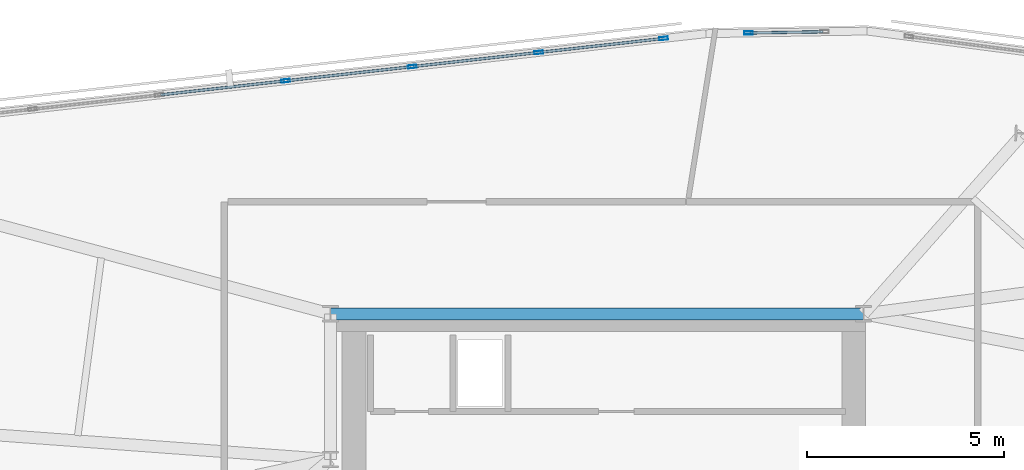
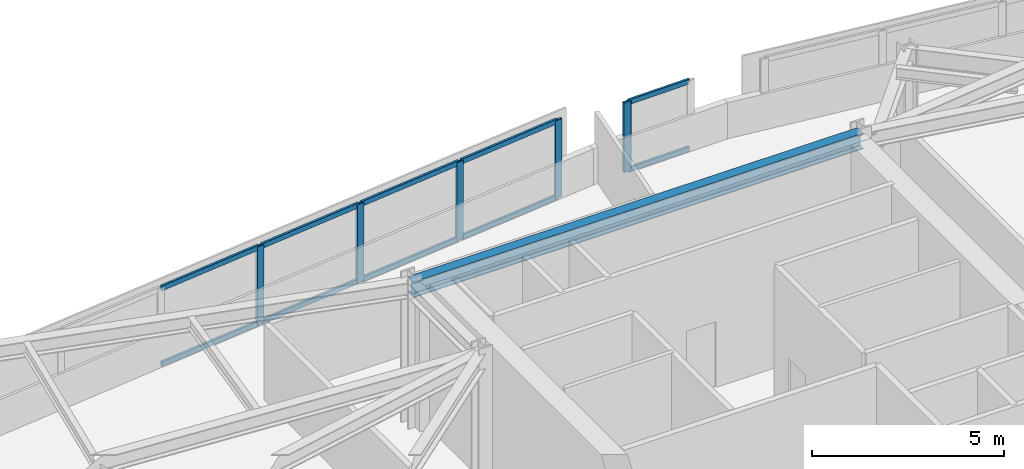
# One storey, part 4 of 12: 15 members, 1 beam, 2 elements without a shape of their own.
"""IFC4 building model written with IfcOpenShell, lengths in metres."""

from ifc_helpers import new_model, si_unit, direction, frame, origin, origin_2d, place, context, subcontext, project, spatial, hollow_rectangle, i_section, extrude, material, material_profile, profile_set, type_object, element, aggregate, save


model = new_model("IFC4")

# Units and contexts
model_context = context("Model", 3, precision=1e-05, world=origin(), true_north=direction((0.0, 1.0)))
body_context = subcontext(model_context, "Body", "Model", "MODEL_VIEW")
ifc_project = project(units=[si_unit("LENGTHUNIT", "METRE"), si_unit("AREAUNIT", "SQUARE_METRE"), si_unit("VOLUMEUNIT", "CUBIC_METRE"), si_unit("PLANEANGLEUNIT", "RADIAN"), si_unit("MASSUNIT", "GRAM", prefix="KILO")], contexts=[model_context])

# Site, building, storey
site_placement = place(None, origin())
site = spatial("IfcSite", under=ifc_project, at=site_placement, CompositionType="ELEMENT")
building_placement = place(site_placement, origin())
building = spatial("IfcBuilding", under=site, at=building_placement, Name="Narakoshi Arena Tower", CompositionType="ELEMENT")
storey_placement = place(building_placement, frame((0.0, 0.0, 307.780029296875)))
storey = spatial("IfcBuildingStorey", under=building, at=storey_placement, Name="L83", CompositionType="ELEMENT", Elevation=307.780029296875)

# Beam
ifc_material_1 = material(Name="Structural steel S355J2", Category="steel")
ifc_material_profile_1 = material_profile(ifc_material_1, i_section(OverallWidth=0.300048828125, OverallDepth=0.5, WebThickness=0.014404296875, FlangeThickness=0.028076171875, FilletRadius=0.027099609375, at=origin_2d()), Name="HE500B")
ifc_profile_set_1 = profile_set([ifc_material_profile_1], Name="Structural steel S355J2")
beam_type = type_object("IfcBeamType", Name="BM-PRI-500", PredefinedType="BEAM", material=ifc_profile_set_1)
beam_placement = place(storey_placement, frame((72.0, 56.5, 4.349853515625), z_axis=(1.0, 0.0, 0.0), x_axis=(0.0, 1.0, 0.0)))
element("IfcBeam", 1, at=beam_placement, inside=storey, type_object=beam_type, Name="L83 Core Perimeter Frame Beam CC5-CC6", PredefinedType="BEAM", context=body_context, shape_type="SweptSolid", body=[
    extrude(i_section(OverallWidth=0.300048828125, OverallDepth=0.5, WebThickness=0.014404296875, FlangeThickness=0.028076171875, FilletRadius=0.027099609375, at=origin_2d()), origin(), (0.0, 0.0, 1.0), 13.550048828125),
])

# Curtain wall, members
ifc_material_2 = material(Name="Anodised bronze aluminium 6063-T6", Category="aluminium")
curtain_wall_type = type_object("IfcCurtainWallType", Name="CW-CRN-FACET", PredefinedType="NOTDEFINED", material=ifc_material_2)
curtain_wall_1_placement = place(storey_placement, origin())
curtain_wall_1 = element("IfcCurtainWall", 2, at=curtain_wall_1_placement, inside=storey, type_object=curtain_wall_type, Name="L83 Slanted-Cut Crown Curtain Wall 6-2", PredefinedType="NOTDEFINED")
ifc_material_profile_2 = material_profile(ifc_material_2, hollow_rectangle(XDim=0.080078125, YDim=0.219970703125, WallThickness=0.0048828125, OuterFilletRadius=0.006103515625, at=origin_2d()), Name="MUL220x80x5")
ifc_profile_set_2 = profile_set([ifc_material_profile_2], Name="Anodised bronze aluminium 6063-T6")
member_type_1 = type_object("IfcMemberType", Name="MEM-MUL-220", PredefinedType="MULLION", material=ifc_profile_set_2)
member_1_placement = place(storey_placement, frame((70.86376953125, 62.42529296875, 0.0), z_axis=(0.0, 0.0, 1.0), x_axis=(-0.11139525537, 0.993776180576, 0.0)))
member_1 = element("IfcMember", 3, at=member_1_placement, type_object=member_type_1, Name="CW-06 mullion 5", PredefinedType="MULLION", context=body_context, shape_type="SweptSolid", body=[
    extrude(hollow_rectangle(XDim=0.080078125, YDim=0.219970703125, WallThickness=0.0048828125, OuterFilletRadius=0.006103515625, at=origin_2d()), origin(), (0.0, 0.0, 1.0), 2.4873046875),
])
member_2_placement = place(storey_placement, frame((74.07958984375, 62.785888671875, 0.0), z_axis=(0.0, 0.0, 1.0), x_axis=(-0.11139525537, 0.993776180576, 0.0)))
member_2 = element("IfcMember", 4, at=member_2_placement, type_object=member_type_1, Name="CW-06 mullion 6", PredefinedType="MULLION", context=body_context, shape_type="SweptSolid", body=[
    extrude(hollow_rectangle(XDim=0.080078125, YDim=0.219970703125, WallThickness=0.0048828125, OuterFilletRadius=0.006103515625, at=origin_2d()), origin(), (0.0, 0.0, 1.0), 2.4873046875),
])
member_3_placement = place(storey_placement, frame((77.295166015625, 63.146240234375, 0.0), z_axis=(0.0, 0.0, 1.0), x_axis=(-0.11139525537, 0.993776180576, 0.0)))
member_3 = element("IfcMember", 5, at=member_3_placement, type_object=member_type_1, Name="CW-06 mullion 7", PredefinedType="MULLION", context=body_context, shape_type="SweptSolid", body=[
    extrude(hollow_rectangle(XDim=0.080078125, YDim=0.219970703125, WallThickness=0.0048828125, OuterFilletRadius=0.006103515625, at=origin_2d()), origin(), (0.0, 0.0, 1.0), 2.4873046875),
])
member_4_placement = place(storey_placement, frame((80.47119140625, 63.502197265625, 0.0), z_axis=(0.0, 0.0, 1.0), x_axis=(-0.11139525537, 0.993776180576, 0.0)))
member_4 = element("IfcMember", 6, at=member_4_placement, type_object=member_type_1, Name="CW-06 mullion 8", PredefinedType="MULLION", context=body_context, shape_type="SweptSolid", body=[
    extrude(hollow_rectangle(XDim=0.080078125, YDim=0.219970703125, WallThickness=0.0048828125, OuterFilletRadius=0.006103515625, at=origin_2d()), origin(), (0.0, 0.0, 1.0), 2.4873046875),
])

# Curtain wall, member
curtain_wall_2_placement = place(storey_placement, origin())
curtain_wall_2 = element("IfcCurtainWall", 7, at=curtain_wall_2_placement, inside=storey, type_object=curtain_wall_type, Name="L83 Slanted-Cut Crown Curtain Wall 7-1", PredefinedType="NOTDEFINED")
member_5_placement = place(storey_placement, frame((82.631103515625, 63.640869140625, 0.0), z_axis=(0.0, 0.0, 1.0), x_axis=(-0.016431226006, 0.999864998293, 0.0)))
member_5 = element("IfcMember", 8, at=member_5_placement, type_object=member_type_1, Name="CW-06 mullion 1", PredefinedType="MULLION", context=body_context, shape_type="SweptSolid", body=[
    extrude(hollow_rectangle(XDim=0.080078125, YDim=0.219970703125, WallThickness=0.0048828125, OuterFilletRadius=0.006103515625, at=origin_2d()), origin(), (0.0, 0.0, 1.0), 2.2216796875),
])

# Member
ifc_material_profile_3 = material_profile(ifc_material_2, hollow_rectangle(XDim=0.070068359375, YDim=0.159912109375, WallThickness=0.00390625, OuterFilletRadius=0.0048828125, at=origin_2d()), Name="TRN160x70x4")
ifc_profile_set_3 = profile_set([ifc_material_profile_3], Name="Anodised bronze aluminium 6063-T6")
member_type_2 = type_object("IfcMemberType", Name="MEM-TRN-160", PredefinedType="USERDEFINED", material=ifc_profile_set_3)
member_6_placement = place(storey_placement, frame((67.687744140625, 62.0693359375, 0.034912109375), z_axis=(0.993775713066, 0.111399426033, 0.0), x_axis=(-0.111399426033, 0.993775713066, 0.0)))
member_6 = element("IfcMember", 9, at=member_6_placement, type_object=member_type_2, Name="CW-06 transom 4.1", ObjectType="TRANSOM", PredefinedType="USERDEFINED", context=body_context, shape_type="SweptSolid", body=[
    extrude(hollow_rectangle(XDim=0.070068359375, YDim=0.159912109375, WallThickness=0.00390625, OuterFilletRadius=0.0048828125, at=origin_2d()), origin(), (0.0, 0.0, 1.0), 3.15576171875),
])

member_7_placement = place(storey_placement, frame((67.687744140625, 62.0693359375, 2.452392578125), z_axis=(0.993775713066, 0.111399426033, 0.0), x_axis=(-0.111399426033, 0.993775713066, 0.0)))
member_7 = element("IfcMember", 10, at=member_7_placement, type_object=member_type_2, Name="CW-06 transom 4.2", ObjectType="TRANSOM", PredefinedType="USERDEFINED", context=body_context, shape_type="SweptSolid", body=[
    extrude(hollow_rectangle(XDim=0.070068359375, YDim=0.159912109375, WallThickness=0.00390625, OuterFilletRadius=0.0048828125, at=origin_2d()), origin(), (0.0, 0.0, 1.0), 3.15576171875),
])

member_8_placement = place(storey_placement, frame((70.903564453125, 62.4296875, 0.034912109375), z_axis=(0.993775713066, 0.111399426033, 0.0), x_axis=(-0.111399426033, 0.993775713066, 0.0)))
member_8 = element("IfcMember", 11, at=member_8_placement, type_object=member_type_2, Name="CW-06 transom 5.1", ObjectType="TRANSOM", PredefinedType="USERDEFINED", context=body_context, shape_type="SweptSolid", body=[
    extrude(hollow_rectangle(XDim=0.070068359375, YDim=0.159912109375, WallThickness=0.00390625, OuterFilletRadius=0.0048828125, at=origin_2d()), origin(), (0.0, 0.0, 1.0), 3.15576171875),
])

member_9_placement = place(storey_placement, frame((70.903564453125, 62.4296875, 2.452392578125), z_axis=(0.993775713066, 0.111399426033, 0.0), x_axis=(-0.111399426033, 0.993775713066, 0.0)))
member_9 = element("IfcMember", 12, at=member_9_placement, type_object=member_type_2, Name="CW-06 transom 5.2", ObjectType="TRANSOM", PredefinedType="USERDEFINED", context=body_context, shape_type="SweptSolid", body=[
    extrude(hollow_rectangle(XDim=0.070068359375, YDim=0.159912109375, WallThickness=0.00390625, OuterFilletRadius=0.0048828125, at=origin_2d()), origin(), (0.0, 0.0, 1.0), 3.15576171875),
])

member_10_placement = place(storey_placement, frame((74.119140625, 62.790283203125, 0.034912109375), z_axis=(0.993775713066, 0.111399426033, 0.0), x_axis=(-0.111399426033, 0.993775713066, 0.0)))
member_10 = element("IfcMember", 13, at=member_10_placement, type_object=member_type_2, Name="CW-06 transom 6.1", ObjectType="TRANSOM", PredefinedType="USERDEFINED", context=body_context, shape_type="SweptSolid", body=[
    extrude(hollow_rectangle(XDim=0.070068359375, YDim=0.159912109375, WallThickness=0.00390625, OuterFilletRadius=0.0048828125, at=origin_2d()), origin(), (0.0, 0.0, 1.0), 3.15576171875),
])

member_11_placement = place(storey_placement, frame((74.119140625, 62.790283203125, 2.452392578125), z_axis=(0.993775713066, 0.111399426033, 0.0), x_axis=(-0.111399426033, 0.993775713066, 0.0)))
member_11 = element("IfcMember", 14, at=member_11_placement, type_object=member_type_2, Name="CW-06 transom 6.2", ObjectType="TRANSOM", PredefinedType="USERDEFINED", context=body_context, shape_type="SweptSolid", body=[
    extrude(hollow_rectangle(XDim=0.070068359375, YDim=0.159912109375, WallThickness=0.00390625, OuterFilletRadius=0.0048828125, at=origin_2d()), origin(), (0.0, 0.0, 1.0), 3.15576171875),
])

member_12_placement = place(storey_placement, frame((77.3349609375, 63.150634765625, 0.034912109375), z_axis=(0.993773354848, 0.111420461294, 0.0), x_axis=(-0.111420461294, 0.993773354848, 0.0)))
member_12 = element("IfcMember", 15, at=member_12_placement, type_object=member_type_2, Name="CW-06 transom 7.1", ObjectType="TRANSOM", PredefinedType="USERDEFINED", context=body_context, shape_type="SweptSolid", body=[
    extrude(hollow_rectangle(XDim=0.070068359375, YDim=0.159912109375, WallThickness=0.00390625, OuterFilletRadius=0.0048828125, at=origin_2d()), origin(), (0.0, 0.0, 1.0), 3.11572265625),
])

member_13_placement = place(storey_placement, frame((77.3349609375, 63.150634765625, 2.452392578125), z_axis=(0.993773354848, 0.111420461294, 0.0), x_axis=(-0.111420461294, 0.993773354848, 0.0)))
member_13 = element("IfcMember", 16, at=member_13_placement, type_object=member_type_2, Name="CW-06 transom 7.2", ObjectType="TRANSOM", PredefinedType="USERDEFINED", context=body_context, shape_type="SweptSolid", body=[
    extrude(hollow_rectangle(XDim=0.070068359375, YDim=0.159912109375, WallThickness=0.00390625, OuterFilletRadius=0.0048828125, at=origin_2d()), origin(), (0.0, 0.0, 1.0), 3.11572265625),
])

aggregate(curtain_wall_1, [member_1, member_2, member_3, member_4, member_6, member_7, member_8, member_9, member_10, member_11, member_12, member_13])

member_14_placement = place(storey_placement, frame((82.6708984375, 63.641357421875, 0.034912109375), z_axis=(0.999863695727, 0.016510298807, 0.0), x_axis=(-0.016510298807, 0.999863695727, 0.0)))
member_14 = element("IfcMember", 17, at=member_14_placement, type_object=member_type_2, Name="CW-06 transom 1.1", ObjectType="TRANSOM", PredefinedType="USERDEFINED", context=body_context, shape_type="SweptSolid", body=[
    extrude(hollow_rectangle(XDim=0.070068359375, YDim=0.159912109375, WallThickness=0.00390625, OuterFilletRadius=0.0048828125, at=origin_2d()), origin(), (0.0, 0.0, 1.0), 1.848388671875),
])

member_15_placement = place(storey_placement, frame((82.6708984375, 63.641357421875, 2.186767578125), z_axis=(0.999863695727, 0.016510298807, 0.0), x_axis=(-0.016510298807, 0.999863695727, 0.0)))
member_15 = element("IfcMember", 18, at=member_15_placement, type_object=member_type_2, Name="CW-06 transom 1.2", ObjectType="TRANSOM", PredefinedType="USERDEFINED", context=body_context, shape_type="SweptSolid", body=[
    extrude(hollow_rectangle(XDim=0.070068359375, YDim=0.159912109375, WallThickness=0.00390625, OuterFilletRadius=0.0048828125, at=origin_2d()), origin(), (0.0, 0.0, 1.0), 1.848388671875),
])

aggregate(curtain_wall_2, [member_5, member_14, member_15])

save(model, "model.ifc")
